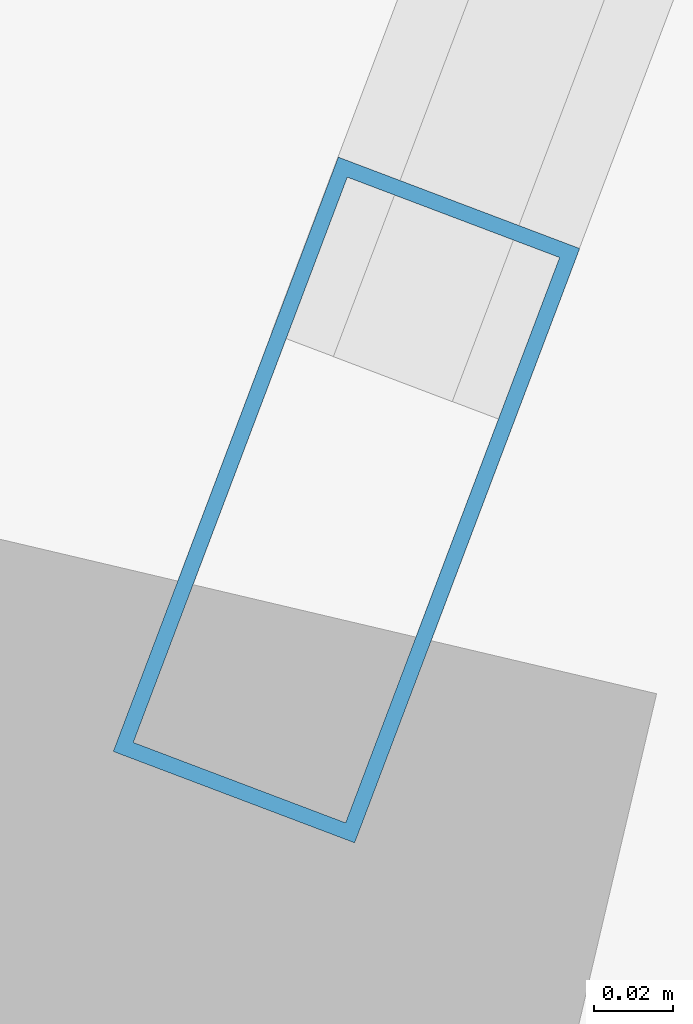
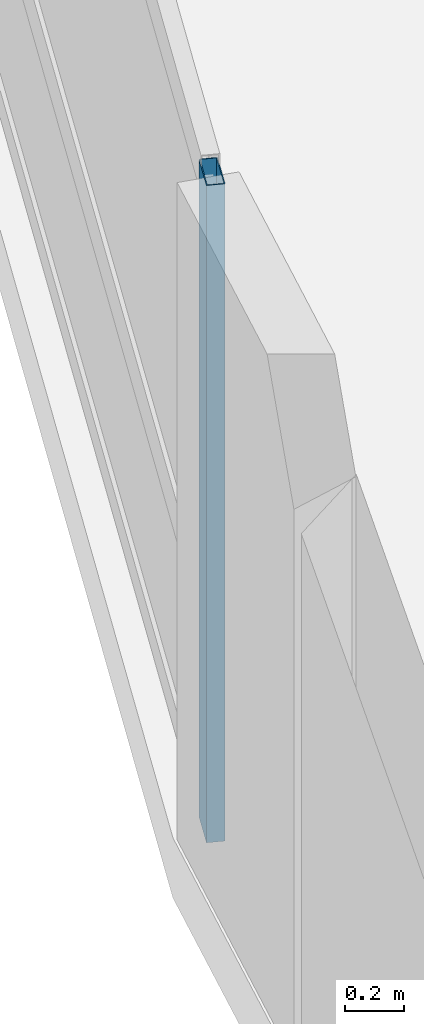
# One storey, part 2 of 24: 1 member, 1 element without a shape of its own.
"""IFC4 building model written with IfcOpenShell, lengths in metres."""

from ifc_helpers import new_model, si_unit, direction, frame, origin, origin_2d, place, context, subcontext, project, spatial, hollow_rectangle, extrude, material, layer, layer_set, material_profile, profile_set, type_object, element, aggregate, save


model = new_model("IFC4")

# Units and contexts
model_context = context("Model", 3, precision=1e-05, world=origin(), true_north=direction((0.0, 1.0)))
body_context = subcontext(model_context, "Body", "Model", "MODEL_VIEW")
ifc_project = project(units=[si_unit("LENGTHUNIT", "METRE"), si_unit("AREAUNIT", "SQUARE_METRE"), si_unit("VOLUMEUNIT", "CUBIC_METRE"), si_unit("PLANEANGLEUNIT", "RADIAN"), si_unit("MASSUNIT", "GRAM", prefix="KILO")], contexts=[model_context])

# Site, building, storey
site_placement = place(None, origin())
site = spatial("IfcSite", under=ifc_project, at=site_placement, CompositionType="ELEMENT")
building_placement = place(site_placement, origin())
building = spatial("IfcBuilding", under=site, at=building_placement, Name="Varnelok Gate Tower", CompositionType="ELEMENT")
storey_placement = place(building_placement, frame((0.0, 0.0, 94.699951171875)))
storey = spatial("IfcBuildingStorey", under=building, at=storey_placement, Name="L23", CompositionType="ELEMENT", Elevation=94.699951171875)

# Curtain wall, member
ifc_material = material(Name="Anodized Aluminum Alloy 6063-T6", Category="aluminium")
ifc_layer = layer(ifc_material, 0.179931640625)
ifc_layer_set = layer_set([ifc_layer], Name="Anodized Aluminum Alloy 6063-T6")
curtain_wall_type = type_object("IfcCurtainWallType", Name="CW3-HOTEL-VISION", PredefinedType="USERDEFINED", material=ifc_layer_set)
curtain_wall_placement = place(storey_placement, origin())
curtain_wall = element("IfcCurtainWall", 1, at=curtain_wall_placement, inside=storey, type_object=curtain_wall_type, Name="L23 West End Vision Curtain Wall", ObjectType="UNITISED CURTAIN WALL", PredefinedType="USERDEFINED")
ifc_material_profile = material_profile(ifc_material, hollow_rectangle(XDim=0.06494140625, YDim=0.159912109375, WallThickness=0.00390625, at=origin_2d()), Name="ALU160X65X4")
ifc_profile_set = profile_set([ifc_material_profile], Name="Anodized Aluminum Alloy 6063-T6")
member_type = type_object("IfcMemberType", Name="CW-MULL-160", PredefinedType="MULLION", material=ifc_profile_set)
member_placement = place(storey_placement, frame((-2.04345703125, 21.59521484375, 0.0), z_axis=(0.0, 0.0, 1.0), x_axis=(-0.935221323688, 0.354063660545, 0.0)))
member = element("IfcMember", 2, at=member_placement, type_object=member_type, Name="CW3 mullion 1", PredefinedType="MULLION", context=body_context, shape_type="SweptSolid", body=[
    extrude(hollow_rectangle(XDim=0.06494140625, YDim=0.159912109375, WallThickness=0.00390625, at=origin_2d()), origin(), (0.0, 0.0, 1.0), 2.72998046875),
])
aggregate(curtain_wall, [member])

save(model, "model.ifc")
